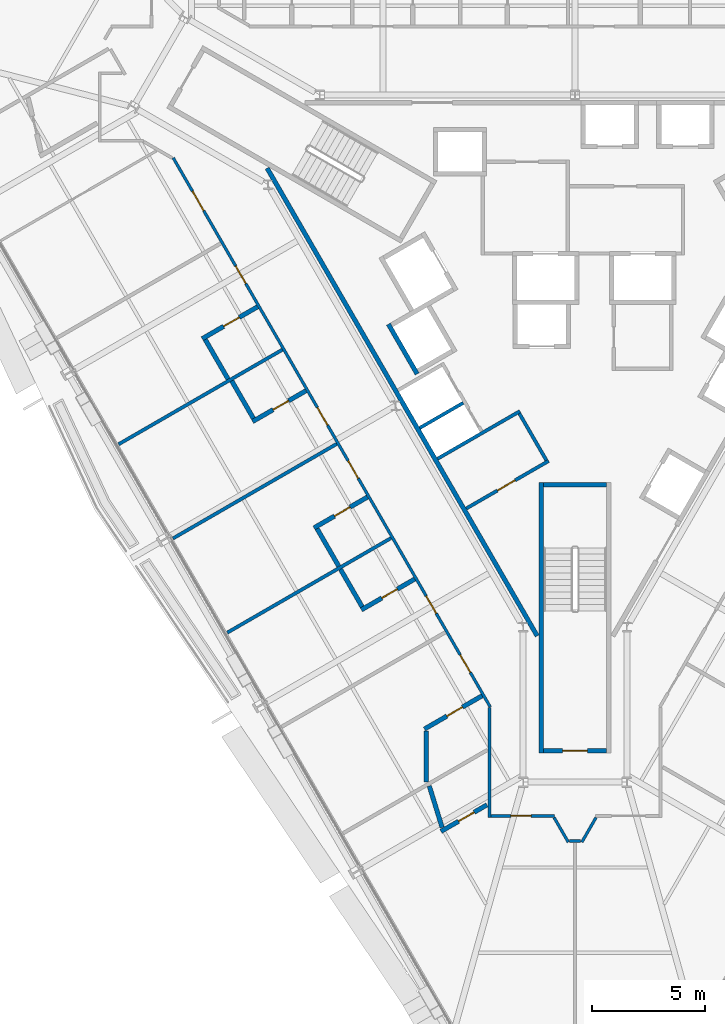
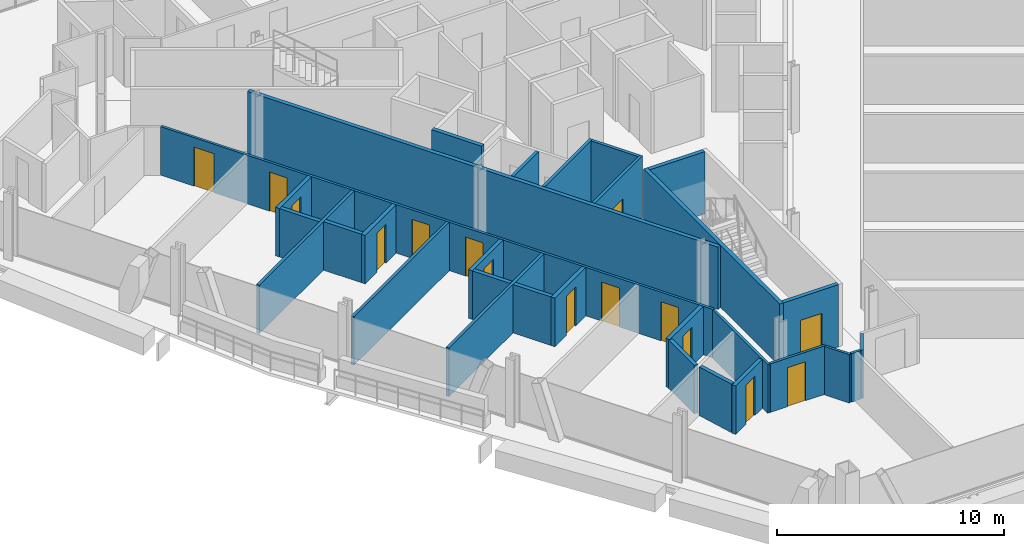
# One storey, part 12 of 18: 30 walls, 15 doors, 15 openings.
"""IFC4 building model written with IfcOpenShell, lengths in metres."""

from ifc_helpers import new_model, si_unit, direction, frame, frame_2d, origin, place, context, subcontext, project, spatial, rectangle, extrude, material, layer, layer_set, type_object, element, fill, save


model = new_model("IFC4")

# Units and contexts
model_context = context("Model", 3, precision=1e-05, world=origin(), true_north=direction((0.0, 1.0)))
body_context = subcontext(model_context, "Body", "Model", "MODEL_VIEW")
ifc_project = project(units=[si_unit("LENGTHUNIT", "METRE"), si_unit("AREAUNIT", "SQUARE_METRE"), si_unit("VOLUMEUNIT", "CUBIC_METRE"), si_unit("PLANEANGLEUNIT", "RADIAN"), si_unit("MASSUNIT", "GRAM", prefix="KILO")], contexts=[model_context])

# Site, building, storey
site_placement = place(None, origin())
site = spatial("IfcSite", under=ifc_project, at=site_placement, CompositionType="ELEMENT")
building_placement = place(site_placement, origin())
building = spatial("IfcBuilding", under=site, at=building_placement, Name="Verrane Prism Tower", CompositionType="ELEMENT")
storey_placement = place(building_placement, frame((0.0, 0.0, 54.800048828125)))
storey = spatial("IfcBuildingStorey", under=building, at=storey_placement, Name="L11", CompositionType="ELEMENT", Elevation=54.800048828125)

# Wall
ifc_material_1 = material(Name="Gypsum board partition", Category="other")
ifc_layer_1 = layer(ifc_material_1, 0.199951171875)
ifc_layer_set_1 = layer_set([ifc_layer_1], Name="CW-200 core boundary wall 2 h")
wall_type_1 = type_object("IfcWallType", Name="CW-200 core boundary wall 2 h", PredefinedType="PARTITIONING", material=ifc_layer_set_1)
wall_1_placement = place(storey_placement, frame((-13.66357421875, 5.946044921875, 0.0), z_axis=(0.0, 0.0, 1.0), x_axis=(0.499994327219, -0.866028678941, 0.0)))
element("IfcWall", 1, at=wall_1_placement, inside=storey, type_object=wall_type_1, Name="Core boundary wall CW3-001", PredefinedType="PARTITIONING", context=body_context, shape_type="SweptSolid", body=[
    extrude(rectangle(XDim=23.967529296875, YDim=0.199951171875, at=frame_2d((11.98388671875, 0.0))), origin(), (0.0, 0.0, 1.0), 3.349853515625),
])

# Wall, opening, door
ifc_material_2 = material(Name="Concrete C40/50", Category="concrete")
ifc_layer_2 = layer(ifc_material_2, 0.199951171875)
ifc_layer_set_2 = layer_set([ifc_layer_2], Name="CW-200 stair core wall concrete C40/50 3 h")
wall_type_2 = type_object("IfcWallType", Name="CW-200 stair core wall concrete C40/50 3 h", PredefinedType="PARTITIONING", material=ifc_layer_set_2)
wall_2_placement = place(storey_placement, frame((-1.39990234375, -19.89990234375, 0.0), z_axis=(0.0, 0.0, 1.0), x_axis=(1.0, 0.0, 0.0)))
wall_2 = element("IfcWall", 2, at=wall_2_placement, inside=storey, type_object=wall_type_2, Name="Stair 3 enclosure wall", PredefinedType="PARTITIONING", context=body_context, shape_type="SweptSolid", body=[
    extrude(rectangle(XDim=2.7998046875, YDim=0.199951171875, at=frame_2d((1.39990234375, 0.0))), origin(), (0.0, 0.0, 1.0), 3.349853515625),
])
opening_1_placement = place(wall_2_placement, frame((0.85009765625, 0.0, 0.0)))
opening_1 = element("IfcOpeningElement", 3, at=opening_1_placement, cuts=wall_2, Name="Opening D09502", PredefinedType="OPENING", context=body_context, shape_type="SweptSolid", body=[
    extrude(rectangle(XDim=1.10009765625, YDim=2.10009765625, at=frame_2d((0.550048828125, 1.050048828125))), frame((0.0, 0.10986328125, 0.0), z_axis=(0.0, -1.0, 0.0), x_axis=(1.0, 0.0, 0.0)), (0.0, 0.0, 1.0), 0.219970703125),
])
ifc_material_3 = material(Name="Timber veneered door leaf", Category="wood")
door_type_1 = type_object("IfcDoorType", Name="DR-1100x2100 FD90 single leaf stair", OperationType="NOTDEFINED", PredefinedType="DOOR", material=ifc_material_3)
door_1_placement = place(opening_1_placement, origin())
door_1 = element("IfcDoor", 4, at=door_1_placement, inside=storey, type_object=door_type_1, Name="Stair 3 door", OperationType="SINGLE_SWING_LEFT", OverallHeight=2.10009765625, OverallWidth=1.10009765625, PredefinedType="DOOR", context=body_context, shape_type="SweptSolid", body=[
    extrude(rectangle(XDim=1.10009765625, YDim=2.10009765625, at=frame_2d((0.550048828125, 1.050048828125))), frame((0.0, 0.02490234375, 0.0), z_axis=(0.0, -1.0, 0.0), x_axis=(1.0, 0.0, 0.0)), (0.0, 0.0, 1.0), 0.050048828125),
])
fill(opening_1, door_1)

# Walls
wall_3_placement = place(storey_placement, frame((-1.5, -8.0, 0.0), z_axis=(0.0, 0.0, 1.0), x_axis=(0.0, -1.0, 0.0)))
element("IfcWall", 5, at=wall_3_placement, inside=storey, type_object=wall_type_2, Name="Stair 3 enclosure wall", PredefinedType="PARTITIONING", context=body_context, shape_type="SweptSolid", body=[
    extrude(rectangle(XDim=12.0, YDim=0.199951171875, at=frame_2d((6.0, 0.0))), origin(), (0.0, 0.0, 1.0), 3.349853515625),
])
wall_4_placement = place(storey_placement, frame((-1.39990234375, -8.10009765625, 0.0), z_axis=(0.0, 0.0, 1.0), x_axis=(1.0, 0.0, 0.0)))
element("IfcWall", 6, at=wall_4_placement, inside=storey, type_object=wall_type_2, Name="Stair 3 enclosure wall", PredefinedType="PARTITIONING", context=body_context, shape_type="SweptSolid", body=[
    extrude(rectangle(XDim=2.7998046875, YDim=0.199951171875, at=frame_2d((1.39990234375, 0.0))), origin(), (0.0, 0.0, 1.0), 3.349853515625),
])
ifc_material_4 = material(Name="Gypsum board shaft wall assembly", Category="other")
ifc_layer_3 = layer(ifc_material_4, 0.199951171875)
ifc_layer_set_3 = layer_set([ifc_layer_3], Name="HW-200 lift shaft wall 2 h")
wall_type_3 = type_object("IfcWallType", Name="HW-200 lift shaft wall 2 h", PredefinedType="PARTITIONING", material=ifc_layer_set_3)
wall_5_placement = place(storey_placement, frame((-7.00634765625, -3.184814453125, 0.0), z_axis=(0.0, 0.0, 1.0), x_axis=(-0.499990435942, 0.866030925526, 0.0)))
element("IfcWall", 7, at=wall_5_placement, inside=storey, type_object=wall_type_3, Name="Lift shaft wall", PredefinedType="PARTITIONING", context=body_context, shape_type="SweptSolid", body=[
    extrude(rectangle(XDim=2.5498046875, YDim=0.199951171875, at=frame_2d((1.27490234375, 0.0))), origin(), (0.0, 0.0, 1.0), 3.599853515625),
])

# Wall, openings, doors
ifc_material_5 = material(Name="Gypsum board partition", Category="other")
ifc_layer_4 = layer(ifc_material_5, 0.125)
ifc_layer_set_4 = layer_set([ifc_layer_4], Name="PW-125 corridor wall 1 h")
wall_type_4 = type_object("IfcWallType", Name="PW-125 corridor wall 1 h", PredefinedType="PARTITIONING", material=ifc_layer_set_4)
wall_6_placement = place(storey_placement, frame((-3.765869140625, -17.959228515625, 0.0), z_axis=(0.0, 0.0, 1.0), x_axis=(-0.500002884005, 0.866023738697, 0.0)))
wall_6 = element("IfcWall", 8, at=wall_6_placement, inside=storey, type_object=wall_type_4, Name="Corridor wall 016", PredefinedType="PARTITIONING", context=body_context, shape_type="SweptSolid", body=[
    extrude(rectangle(XDim=28.134521484375, YDim=0.125, at=frame_2d((14.0673828125, 0.0))), origin(), (0.0, 0.0, 1.0), 2.613037109375),
])
opening_2_placement = place(wall_6_placement, frame((25.422119140625, 0.0, 0.0)))
opening_2 = element("IfcOpeningElement", 9, at=opening_2_placement, cuts=wall_6, Name="Opening D09026", PredefinedType="OPENING", context=body_context, shape_type="SweptSolid", body=[
    extrude(rectangle(XDim=1.0, YDim=2.10009765625, at=frame_2d((0.5, 1.050048828125))), frame((0.0, 0.072509765625, 0.0), z_axis=(0.0, -1.0, 0.0), x_axis=(1.0, 0.0, 0.0)), (0.0, 0.0, 1.0), 0.14501953125),
])
opening_3_placement = place(wall_6_placement, frame((21.693115234375, 0.0, 0.0)))
opening_3 = element("IfcOpeningElement", 10, at=opening_3_placement, cuts=wall_6, Name="Opening D09029", PredefinedType="OPENING", context=body_context, shape_type="SweptSolid", body=[
    extrude(rectangle(XDim=0.89990234375, YDim=2.10009765625, at=frame_2d((0.449951171875, 1.050048828125))), frame((0.0, 0.072509765625, 0.0), z_axis=(0.0, -1.0, 0.0), x_axis=(1.0, 0.0, 0.0)), (0.0, 0.0, 1.0), 0.14501953125),
])
opening_4_placement = place(wall_6_placement, frame((14.438232421875, 0.0, 0.0)))
opening_4 = element("IfcOpeningElement", 11, at=opening_4_placement, cuts=wall_6, Name="Opening D09031", PredefinedType="OPENING", context=body_context, shape_type="SweptSolid", body=[
    extrude(rectangle(XDim=0.89990234375, YDim=2.10009765625, at=frame_2d((0.449951171875, 1.050048828125))), frame((0.0, 0.072509765625, 0.0), z_axis=(0.0, -1.0, 0.0), x_axis=(1.0, 0.0, 0.0)), (0.0, 0.0, 1.0), 0.14501953125),
])
opening_5_placement = place(wall_6_placement, frame((11.712158203125, 0.0, 0.0)))
opening_5 = element("IfcOpeningElement", 12, at=opening_5_placement, cuts=wall_6, Name="Opening D09033", PredefinedType="OPENING", context=body_context, shape_type="SweptSolid", body=[
    extrude(rectangle(XDim=0.89990234375, YDim=2.10009765625, at=frame_2d((0.449951171875, 1.050048828125))), frame((0.0, 0.072509765625, 0.0), z_axis=(0.0, -1.0, 0.0), x_axis=(1.0, 0.0, 0.0)), (0.0, 0.0, 1.0), 0.14501953125),
])
opening_6_placement = place(wall_6_placement, frame((4.787109375, 0.0, 0.0)))
opening_6 = element("IfcOpeningElement", 13, at=opening_6_placement, cuts=wall_6, Name="Opening D09035", PredefinedType="OPENING", context=body_context, shape_type="SweptSolid", body=[
    extrude(rectangle(XDim=0.89990234375, YDim=2.10009765625, at=frame_2d((0.449951171875, 1.050048828125))), frame((0.0, 0.072509765625, 0.0), z_axis=(0.0, -1.0, 0.0), x_axis=(1.0, 0.0, 0.0)), (0.0, 0.0, 1.0), 0.14501953125),
])
opening_7_placement = place(wall_6_placement, frame((1.76220703125, 0.0, 0.0)))
opening_7 = element("IfcOpeningElement", 14, at=opening_7_placement, cuts=wall_6, Name="Opening D09037", PredefinedType="OPENING", context=body_context, shape_type="SweptSolid", body=[
    extrude(rectangle(XDim=0.89990234375, YDim=2.10009765625, at=frame_2d((0.449951171875, 1.050048828125))), frame((0.0, 0.072509765625, 0.0), z_axis=(0.0, -1.0, 0.0), x_axis=(1.0, 0.0, 0.0)), (0.0, 0.0, 1.0), 0.14501953125),
])
ifc_material_6 = material(Name="Timber veneered door leaf", Category="wood")
door_type_2 = type_object("IfcDoorType", Name="DR-1000x2100 FD20 single leaf unit", OperationType="NOTDEFINED", PredefinedType="DOOR", material=ifc_material_6)
door_2_placement = place(opening_2_placement, origin())
door_2 = element("IfcDoor", 15, at=door_2_placement, inside=storey, type_object=door_type_2, Name="Suite Living Room door", OperationType="SINGLE_SWING_LEFT", OverallHeight=2.10009765625, OverallWidth=1.0, PredefinedType="DOOR", context=body_context, shape_type="SweptSolid", body=[
    extrude(rectangle(XDim=1.0, YDim=2.10009765625, at=frame_2d((0.5, 1.050048828125))), frame((0.0, 0.02490234375, 0.0), z_axis=(0.0, -1.0, 0.0), x_axis=(1.0, 0.0, 0.0)), (0.0, 0.0, 1.0), 0.050048828125),
])
fill(opening_2, door_2)
ifc_material_7 = material(Name="Timber veneered door leaf", Category="wood")
door_type_3 = type_object("IfcDoorType", Name="DR-900x2100 FD20 single leaf unit", OperationType="NOTDEFINED", PredefinedType="DOOR", material=ifc_material_7)
door_3_placement = place(opening_3_placement, origin())
door_3 = element("IfcDoor", 16, at=door_3_placement, inside=storey, type_object=door_type_3, Name="Guest Room door", OperationType="SINGLE_SWING_RIGHT", OverallHeight=2.10009765625, OverallWidth=0.89990234375, PredefinedType="DOOR", context=body_context, shape_type="SweptSolid", body=[
    extrude(rectangle(XDim=0.89990234375, YDim=2.10009765625, at=frame_2d((0.449951171875, 1.050048828125))), frame((0.0, 0.02490234375, 0.0), z_axis=(0.0, -1.0, 0.0), x_axis=(1.0, 0.0, 0.0)), (0.0, 0.0, 1.0), 0.050048828125),
])
fill(opening_3, door_3)
door_4_placement = place(opening_4_placement, origin())
door_4 = element("IfcDoor", 17, at=door_4_placement, inside=storey, type_object=door_type_3, Name="Guest Room door", OperationType="SINGLE_SWING_RIGHT", OverallHeight=2.10009765625, OverallWidth=0.89990234375, PredefinedType="DOOR", context=body_context, shape_type="SweptSolid", body=[
    extrude(rectangle(XDim=0.89990234375, YDim=2.10009765625, at=frame_2d((0.449951171875, 1.050048828125))), frame((0.0, 0.02490234375, 0.0), z_axis=(0.0, -1.0, 0.0), x_axis=(1.0, 0.0, 0.0)), (0.0, 0.0, 1.0), 0.050048828125),
])
fill(opening_4, door_4)
door_5_placement = place(opening_5_placement, origin())
door_5 = element("IfcDoor", 18, at=door_5_placement, inside=storey, type_object=door_type_3, Name="Guest Room door", OperationType="SINGLE_SWING_RIGHT", OverallHeight=2.10009765625, OverallWidth=0.89990234375, PredefinedType="DOOR", context=body_context, shape_type="SweptSolid", body=[
    extrude(rectangle(XDim=0.89990234375, YDim=2.10009765625, at=frame_2d((0.449951171875, 1.050048828125))), frame((0.0, 0.02490234375, 0.0), z_axis=(0.0, -1.0, 0.0), x_axis=(1.0, 0.0, 0.0)), (0.0, 0.0, 1.0), 0.050048828125),
])
fill(opening_5, door_5)
door_6_placement = place(opening_6_placement, origin())
door_6 = element("IfcDoor", 19, at=door_6_placement, inside=storey, type_object=door_type_3, Name="Guest Room door", OperationType="SINGLE_SWING_RIGHT", OverallHeight=2.10009765625, OverallWidth=0.89990234375, PredefinedType="DOOR", context=body_context, shape_type="SweptSolid", body=[
    extrude(rectangle(XDim=0.89990234375, YDim=2.10009765625, at=frame_2d((0.449951171875, 1.050048828125))), frame((0.0, 0.02490234375, 0.0), z_axis=(0.0, -1.0, 0.0), x_axis=(1.0, 0.0, 0.0)), (0.0, 0.0, 1.0), 0.050048828125),
])
fill(opening_6, door_6)
door_7_placement = place(opening_7_placement, origin())
door_7 = element("IfcDoor", 20, at=door_7_placement, inside=storey, type_object=door_type_3, Name="Guest Room door", OperationType="SINGLE_SWING_RIGHT", OverallHeight=2.10009765625, OverallWidth=0.89990234375, PredefinedType="DOOR", context=body_context, shape_type="SweptSolid", body=[
    extrude(rectangle(XDim=0.89990234375, YDim=2.10009765625, at=frame_2d((0.449951171875, 1.050048828125))), frame((0.0, 0.02490234375, 0.0), z_axis=(0.0, -1.0, 0.0), x_axis=(1.0, 0.0, 0.0)), (0.0, 0.0, 1.0), 0.050048828125),
])
fill(opening_7, door_7)

# Wall
wall_7_placement = place(storey_placement, frame((-3.797119140625, -22.859619140625, 0.0), z_axis=(0.0, 0.0, 1.0), x_axis=(0.0, 1.0, 0.0)))
element("IfcWall", 21, at=wall_7_placement, inside=storey, type_object=wall_type_4, Name="Corridor wall 046", PredefinedType="PARTITIONING", context=body_context, shape_type="SweptSolid", body=[
    extrude(rectangle(XDim=4.86962890625, YDim=0.125, at=frame_2d((2.434814453125, 0.0))), origin(), (0.0, 0.0, 1.0), 2.613037109375),
])

# Wall, opening, door
wall_8_placement = place(storey_placement, frame((-0.910400390625, -22.797119140625, 0.0), z_axis=(0.0, 0.0, 1.0), x_axis=(-1.0, 0.0, 0.0)))
wall_8 = element("IfcWall", 22, at=wall_8_placement, inside=storey, type_object=wall_type_4, Name="Corridor wall 047", PredefinedType="PARTITIONING", context=body_context, shape_type="SweptSolid", body=[
    extrude(rectangle(XDim=2.821533203125, YDim=0.125, at=frame_2d((1.41064453125, 0.0))), origin(), (0.0, 0.0, 1.0), 2.613037109375),
])
opening_8_placement = place(wall_8_placement, frame((1.03662109375, 0.0, 0.0)))
opening_8 = element("IfcOpeningElement", 23, at=opening_8_placement, cuts=wall_8, Name="Opening D09039", PredefinedType="OPENING", context=body_context, shape_type="SweptSolid", body=[
    extrude(rectangle(XDim=0.89990234375, YDim=2.10009765625, at=frame_2d((0.449951171875, 1.050048828125))), frame((0.0, 0.072509765625, 0.0), z_axis=(0.0, -1.0, 0.0), x_axis=(1.0, 0.0, 0.0)), (0.0, 0.0, 1.0), 0.14501953125),
])
door_8_placement = place(opening_8_placement, origin())
door_8 = element("IfcDoor", 24, at=door_8_placement, inside=storey, type_object=door_type_3, Name="Corner Suite door", OperationType="SINGLE_SWING_RIGHT", OverallHeight=2.10009765625, OverallWidth=0.89990234375, PredefinedType="DOOR", context=body_context, shape_type="SweptSolid", body=[
    extrude(rectangle(XDim=0.89990234375, YDim=2.10009765625, at=frame_2d((0.449951171875, 1.050048828125))), frame((0.0, 0.02490234375, 0.0), z_axis=(0.0, -1.0, 0.0), x_axis=(1.0, 0.0, 0.0)), (0.0, 0.0, 1.0), 0.050048828125),
])
fill(opening_8, door_8)

# Walls
wall_9_placement = place(storey_placement, frame((-0.930419921875, -22.87060546875, 0.0), z_axis=(0.0, 0.0, 1.0), x_axis=(0.500242104966, -0.865885579288, 0.0)))
element("IfcWall", 25, at=wall_9_placement, inside=storey, type_object=wall_type_4, Name="Corridor wall 049", PredefinedType="PARTITIONING", context=body_context, shape_type="SweptSolid", body=[
    extrude(rectangle(XDim=1.260498046875, YDim=0.125, at=frame_2d((0.63037109375, 0.0))), origin(), (0.0, 0.0, 1.0), 2.613037109375),
])
wall_10_placement = place(storey_placement, frame((-0.24609375, -23.907958984375, 0.0), z_axis=(0.0, 0.0, 1.0), x_axis=(1.0, 0.0, 0.0)))
element("IfcWall", 26, at=wall_10_placement, inside=storey, type_object=wall_type_4, Name="Corridor wall 050", PredefinedType="PARTITIONING", context=body_context, shape_type="SweptSolid", body=[
    extrude(rectangle(XDim=0.4921875, YDim=0.125, at=frame_2d((0.24609375, 0.0))), origin(), (0.0, 0.0, 1.0), 2.613037109375),
])
wall_11_placement = place(storey_placement, frame((0.2998046875, -23.962158203125, 0.0), z_axis=(0.0, 0.0, 1.0), x_axis=(0.500242104966, 0.865885579288, 0.0)))
element("IfcWall", 27, at=wall_11_placement, inside=storey, type_object=wall_type_4, Name="Corridor wall 053", PredefinedType="PARTITIONING", context=body_context, shape_type="SweptSolid", body=[
    extrude(rectangle(XDim=1.260498046875, YDim=0.125, at=frame_2d((0.63037109375, 0.0))), origin(), (0.0, 0.0, 1.0), 2.613037109375),
])
ifc_material_8 = material(Name="Gypsum board partition", Category="other")
ifc_layer_5 = layer(ifc_material_8, 0.14990234375)
ifc_layer_set_5 = layer_set([ifc_layer_5], Name="PW-150 demising wall 1 h")
wall_type_5 = type_object("IfcWallType", Name="PW-150 demising wall 1 h", PredefinedType="PARTITIONING", material=ifc_layer_set_5)
for number, where, z_axis, x_axis, name in (
    (28, (-20.25634765625, -6.3046875, 0.0), (0.0, 0.0, 1.0), (0.866037818403, 0.499978496633, 0.0), "Demising wall 012"),
    (29, (-17.843505859375, -10.48388671875, 0.0), (0.0, 0.0, 1.0), (0.866037818403, 0.499978496633, 0.0), "Demising wall 017"),
):
    element("IfcWall", number, at=place(storey_placement, frame(where, z_axis=z_axis, x_axis=x_axis)), inside=storey, type_object=wall_type_5, Name=name, PredefinedType="PARTITIONING", context=body_context, shape_type="SweptSolid", body=[
        extrude(rectangle(XDim=8.391357421875, YDim=0.14990234375, at=frame_2d((4.19580078125, 0.0))), origin(), (0.0, 0.0, 1.0), 2.613037109375),
    ])
wall_12_placement = place(storey_placement, frame((-15.4306640625, -14.6630859375, 0.0), z_axis=(0.0, 0.0, 1.0), x_axis=(0.866027553047, 0.499996277349, 0.0)))
element("IfcWall", 30, at=wall_12_placement, inside=storey, type_object=wall_type_5, Name="Demising wall 024", PredefinedType="PARTITIONING", context=body_context, shape_type="SweptSolid", body=[
    extrude(rectangle(XDim=8.38671875, YDim=0.14990234375, at=frame_2d((4.193359375, 0.0))), origin(), (0.0, 0.0, 1.0), 2.613037109375),
])
ifc_material_9 = material(Name="Gypsum board partition", Category="other")
ifc_layer_6 = layer(ifc_material_9, 0.199951171875)
ifc_layer_set_6 = layer_set([ifc_layer_6], Name="PW-200 plumbing wall")
wall_type_6 = type_object("IfcWallType", Name="PW-200 plumbing wall", PredefinedType="PARTITIONING", material=ifc_layer_set_6)
wall_13_placement = place(storey_placement, frame((-16.409912109375, -1.65869140625, 0.0), z_axis=(0.0, 0.0, 1.0), x_axis=(0.49983374806, -0.866121368112, 0.0)))
element("IfcWall", 31, at=wall_13_placement, inside=storey, type_object=wall_type_6, Name="Plumbing wall 020", PredefinedType="PARTITIONING", context=body_context, shape_type="SweptSolid", body=[
    extrude(rectangle(XDim=2.025634765625, YDim=0.199951171875, at=frame_2d((1.0126953125, 0.0))), origin(), (0.0, 0.0, 1.0), 2.613037109375),
])

# Wall, opening, door
wall_14_placement = place(storey_placement, frame((-14.093505859375, -0.205810546875, 0.0), z_axis=(0.0, 0.0, 1.0), x_axis=(-0.866033446572, -0.499986069224, 0.0)))
wall_14 = element("IfcWall", 32, at=wall_14_placement, inside=storey, type_object=wall_type_6, Name="Plumbing wall 021", PredefinedType="PARTITIONING", context=body_context, shape_type="SweptSolid", body=[
    extrude(rectangle(XDim=2.83251953125, YDim=0.199951171875, at=frame_2d((1.416259765625, 0.0))), origin(), (0.0, 0.0, 1.0), 2.613037109375),
])
opening_9_placement = place(wall_14_placement, frame((0.9326171875, 0.0, 0.0)))
opening_9 = element("IfcOpeningElement", 33, at=opening_9_placement, cuts=wall_14, Name="Opening D09030", PredefinedType="OPENING", context=body_context, shape_type="SweptSolid", body=[
    extrude(rectangle(XDim=0.800048828125, YDim=2.10009765625, at=frame_2d((0.39990234375, 1.050048828125))), frame((0.0, 0.10986328125, 0.0), z_axis=(0.0, -1.0, 0.0), x_axis=(1.0, 0.0, 0.0)), (0.0, 0.0, 1.0), 0.219970703125),
])
ifc_material_10 = material(Name="Timber veneered door leaf", Category="wood")
door_type_4 = type_object("IfcDoorType", Name="DR-800x2100 single leaf bath", OperationType="NOTDEFINED", PredefinedType="DOOR", material=ifc_material_10)
door_9_placement = place(opening_9_placement, origin())
door_9 = element("IfcDoor", 34, at=door_9_placement, inside=storey, type_object=door_type_4, Name="En-Suite door", OperationType="SINGLE_SWING_LEFT", OverallHeight=2.10009765625, OverallWidth=0.800048828125, PredefinedType="DOOR", context=body_context, shape_type="SweptSolid", body=[
    extrude(rectangle(XDim=0.800048828125, YDim=2.10009765625, at=frame_2d((0.39990234375, 1.050048828125))), frame((0.0, 0.02490234375, 0.0), z_axis=(0.0, -1.0, 0.0), x_axis=(1.0, 0.0, 0.0)), (0.0, 0.0, 1.0), 0.050048828125),
])
fill(opening_9, door_9)

# Wall
wall_15_placement = place(storey_placement, frame((-15.235595703125, -3.492919921875, 0.0), z_axis=(0.0, 0.0, 1.0), x_axis=(0.500190942922, -0.865915134767, 0.0)))
element("IfcWall", 35, at=wall_15_placement, inside=storey, type_object=wall_type_6, Name="Plumbing wall 025", PredefinedType="PARTITIONING", context=body_context, shape_type="SweptSolid", body=[
    extrude(rectangle(XDim=1.924560546875, YDim=0.199951171875, at=frame_2d((0.96240234375, 0.0))), origin(), (0.0, 0.0, 1.0), 2.613037109375),
])

# Wall, opening, door
wall_16_placement = place(storey_placement, frame((-14.3095703125, -5.2958984375, 0.0), z_axis=(0.0, 0.0, 1.0), x_axis=(0.866012976267, 0.500021524473, 0.0)))
wall_16 = element("IfcWall", 36, at=wall_16_placement, inside=storey, type_object=wall_type_6, Name="Plumbing wall 029", PredefinedType="PARTITIONING", context=body_context, shape_type="SweptSolid", body=[
    extrude(rectangle(XDim=2.732421875, YDim=0.199951171875, at=frame_2d((1.3662109375, 0.0))), origin(), (0.0, 0.0, 1.0), 2.613037109375),
])
opening_10_placement = place(wall_16_placement, frame((1.050048828125, 0.0, 0.0)))
opening_10 = element("IfcOpeningElement", 37, at=opening_10_placement, cuts=wall_16, Name="Opening D09032", PredefinedType="OPENING", context=body_context, shape_type="SweptSolid", body=[
    extrude(rectangle(XDim=0.800048828125, YDim=2.10009765625, at=frame_2d((0.39990234375, 1.050048828125))), frame((0.0, 0.10986328125, 0.0), z_axis=(0.0, -1.0, 0.0), x_axis=(1.0, 0.0, 0.0)), (0.0, 0.0, 1.0), 0.219970703125),
])
door_10_placement = place(opening_10_placement, origin())
door_10 = element("IfcDoor", 38, at=door_10_placement, inside=storey, type_object=door_type_4, Name="En-Suite door", OperationType="SINGLE_SWING_RIGHT", OverallHeight=2.10009765625, OverallWidth=0.800048828125, PredefinedType="DOOR", context=body_context, shape_type="SweptSolid", body=[
    extrude(rectangle(XDim=0.800048828125, YDim=2.10009765625, at=frame_2d((0.39990234375, 1.050048828125))), frame((0.0, 0.02490234375, 0.0), z_axis=(0.0, -1.0, 0.0), x_axis=(1.0, 0.0, 0.0)), (0.0, 0.0, 1.0), 0.050048828125),
])
fill(opening_10, door_10)

# Wall
wall_17_placement = place(storey_placement, frame((-11.447998046875, -10.053466796875, 0.0), z_axis=(0.0, 0.0, 1.0), x_axis=(0.500214044309, -0.865901789971, 0.0)))
element("IfcWall", 39, at=wall_17_placement, inside=storey, type_object=wall_type_6, Name="Plumbing wall 032", PredefinedType="PARTITIONING", context=body_context, shape_type="SweptSolid", body=[
    extrude(rectangle(XDim=1.920166015625, YDim=0.199951171875, at=frame_2d((0.9599609375, 0.0))), origin(), (0.0, 0.0, 1.0), 2.613037109375),
])

# Wall, opening, door
wall_18_placement = place(storey_placement, frame((-9.217529296875, -8.650634765625, 0.0), z_axis=(0.0, 0.0, 1.0), x_axis=(-0.866063622699, -0.499933797055, 0.0)))
wall_18 = element("IfcWall", 40, at=wall_18_placement, inside=storey, type_object=wall_type_6, Name="Plumbing wall 033", PredefinedType="PARTITIONING", context=body_context, shape_type="SweptSolid", body=[
    extrude(rectangle(XDim=2.733154296875, YDim=0.199951171875, at=frame_2d((1.36669921875, 0.0))), origin(), (0.0, 0.0, 1.0), 2.613037109375),
])
opening_11_placement = place(wall_18_placement, frame((0.883056640625, 0.0, 0.0)))
opening_11 = element("IfcOpeningElement", 41, at=opening_11_placement, cuts=wall_18, Name="Opening D09034", PredefinedType="OPENING", context=body_context, shape_type="SweptSolid", body=[
    extrude(rectangle(XDim=0.800048828125, YDim=2.10009765625, at=frame_2d((0.39990234375, 1.050048828125))), frame((0.0, 0.10986328125, 0.0), z_axis=(0.0, -1.0, 0.0), x_axis=(1.0, 0.0, 0.0)), (0.0, 0.0, 1.0), 0.219970703125),
])
door_11_placement = place(opening_11_placement, origin())
door_11 = element("IfcDoor", 42, at=door_11_placement, inside=storey, type_object=door_type_4, Name="En-Suite door", OperationType="SINGLE_SWING_LEFT", OverallHeight=2.10009765625, OverallWidth=0.800048828125, PredefinedType="DOOR", context=body_context, shape_type="SweptSolid", body=[
    extrude(rectangle(XDim=0.800048828125, YDim=2.10009765625, at=frame_2d((0.39990234375, 1.050048828125))), frame((0.0, 0.02490234375, 0.0), z_axis=(0.0, -1.0, 0.0), x_axis=(1.0, 0.0, 0.0)), (0.0, 0.0, 1.0), 0.050048828125),
])
fill(opening_11, door_11)

# Wall
wall_19_placement = place(storey_placement, frame((-10.407470703125, -11.85498046875, 0.0), z_axis=(0.0, 0.0, 1.0), x_axis=(0.499887618105, -0.86609027778, 0.0)))
element("IfcWall", 43, at=wall_19_placement, inside=storey, type_object=wall_type_6, Name="Plumbing wall 034", PredefinedType="PARTITIONING", context=body_context, shape_type="SweptSolid", body=[
    extrude(rectangle(XDim=1.91943359375, YDim=0.199951171875, at=frame_2d((0.959716796875, 0.0))), origin(), (0.0, 0.0, 1.0), 2.613037109375),
])

# Wall, opening, door
wall_20_placement = place(storey_placement, frame((-9.484619140625, -13.654052734375, 0.0), z_axis=(0.0, 0.0, 1.0), x_axis=(0.866102295869, 0.499866795347, 0.0)))
wall_20 = element("IfcWall", 44, at=wall_20_placement, inside=storey, type_object=wall_type_6, Name="Plumbing wall 037", PredefinedType="PARTITIONING", context=body_context, shape_type="SweptSolid", body=[
    extrude(rectangle(XDim=2.733154296875, YDim=0.199951171875, at=frame_2d((1.36669921875, 0.0))), origin(), (0.0, 0.0, 1.0), 2.613037109375),
])
opening_12_placement = place(wall_20_placement, frame((1.050048828125, 0.0, 0.0)))
opening_12 = element("IfcOpeningElement", 45, at=opening_12_placement, cuts=wall_20, Name="Opening D09036", PredefinedType="OPENING", context=body_context, shape_type="SweptSolid", body=[
    extrude(rectangle(XDim=0.800048828125, YDim=2.10009765625, at=frame_2d((0.39990234375, 1.050048828125))), frame((0.0, 0.10986328125, 0.0), z_axis=(0.0, -1.0, 0.0), x_axis=(1.0, 0.0, 0.0)), (0.0, 0.0, 1.0), 0.219970703125),
])
door_12_placement = place(opening_12_placement, origin())
door_12 = element("IfcDoor", 46, at=door_12_placement, inside=storey, type_object=door_type_4, Name="En-Suite door", OperationType="SINGLE_SWING_RIGHT", OverallHeight=2.10009765625, OverallWidth=0.800048828125, PredefinedType="DOOR", context=body_context, shape_type="SweptSolid", body=[
    extrude(rectangle(XDim=0.800048828125, YDim=2.10009765625, at=frame_2d((0.39990234375, 1.050048828125))), frame((0.0, 0.02490234375, 0.0), z_axis=(0.0, -1.0, 0.0), x_axis=(1.0, 0.0, 0.0)), (0.0, 0.0, 1.0), 0.050048828125),
])
fill(opening_12, door_12)

# Wall
wall_21_placement = place(storey_placement, frame((-6.596923828125, -21.28955078125, 0.0), z_axis=(0.0, 0.0, 1.0), x_axis=(0.0, 1.0, 0.0)))
element("IfcWall", 47, at=wall_21_placement, inside=storey, type_object=wall_type_6, Name="Plumbing wall 040", PredefinedType="PARTITIONING", context=body_context, shape_type="SweptSolid", body=[
    extrude(rectangle(XDim=2.261474609375, YDim=0.199951171875, at=frame_2d((1.130859375, 0.0))), origin(), (0.0, 0.0, 1.0), 2.613037109375),
])

# Wall, opening, door
wall_22_placement = place(storey_placement, frame((-4.123046875, -17.46533203125, 0.0), z_axis=(0.0, 0.0, 1.0), x_axis=(-0.866141586746, -0.499798711192, 0.0)))
wall_22 = element("IfcWall", 48, at=wall_22_placement, inside=storey, type_object=wall_type_6, Name="Plumbing wall 041", PredefinedType="PARTITIONING", context=body_context, shape_type="SweptSolid", body=[
    extrude(rectangle(XDim=2.956298828125, YDim=0.199951171875, at=frame_2d((1.47802734375, 0.0))), origin(), (0.0, 0.0, 1.0), 2.613037109375),
])
opening_13_placement = place(wall_22_placement, frame((1.00634765625, 0.0, 0.0)))
opening_13 = element("IfcOpeningElement", 49, at=opening_13_placement, cuts=wall_22, Name="Opening D09038", PredefinedType="OPENING", context=body_context, shape_type="SweptSolid", body=[
    extrude(rectangle(XDim=0.800048828125, YDim=2.10009765625, at=frame_2d((0.39990234375, 1.050048828125))), frame((0.0, 0.10986328125, 0.0), z_axis=(0.0, -1.0, 0.0), x_axis=(1.0, 0.0, 0.0)), (0.0, 0.0, 1.0), 0.219970703125),
])
door_13_placement = place(opening_13_placement, origin())
door_13 = element("IfcDoor", 50, at=door_13_placement, inside=storey, type_object=door_type_4, Name="En-Suite door", OperationType="SINGLE_SWING_LEFT", OverallHeight=2.10009765625, OverallWidth=0.800048828125, PredefinedType="DOOR", context=body_context, shape_type="SweptSolid", body=[
    extrude(rectangle(XDim=0.800048828125, YDim=2.10009765625, at=frame_2d((0.39990234375, 1.050048828125))), frame((0.0, 0.02490234375, 0.0), z_axis=(0.0, -1.0, 0.0), x_axis=(1.0, 0.0, 0.0)), (0.0, 0.0, 1.0), 0.050048828125),
])
fill(opening_13, door_13)

# Wall
wall_23_placement = place(storey_placement, frame((-6.467529296875, -21.47119140625, 0.0), z_axis=(0.0, 0.0, 1.0), x_axis=(0.295232763086, -0.955425358466, 0.0)))
element("IfcWall", 51, at=wall_23_placement, inside=storey, type_object=wall_type_6, Name="Plumbing wall 042", PredefinedType="PARTITIONING", context=body_context, shape_type="SweptSolid", body=[
    extrude(rectangle(XDim=1.92919921875, YDim=0.199951171875, at=frame_2d((0.964599609375, 0.0))), origin(), (0.0, 0.0, 1.0), 2.613037109375),
])

# Wall, opening, door
wall_24_placement = place(storey_placement, frame((-5.947509765625, -23.484130859375, 0.0), z_axis=(0.0, 0.0, 1.0), x_axis=(0.865922980112, 0.500177361057, 0.0)))
wall_24 = element("IfcWall", 52, at=wall_24_placement, inside=storey, type_object=wall_type_6, Name="Plumbing wall 043", PredefinedType="PARTITIONING", context=body_context, shape_type="SweptSolid", body=[
    extrude(rectangle(XDim=2.353759765625, YDim=0.199951171875, at=frame_2d((1.1767578125, 0.0))), origin(), (0.0, 0.0, 1.0), 2.613037109375),
])
opening_14_placement = place(wall_24_placement, frame((0.89990234375, 0.0, 0.0)))
opening_14 = element("IfcOpeningElement", 53, at=opening_14_placement, cuts=wall_24, Name="Opening D09040", PredefinedType="OPENING", context=body_context, shape_type="SweptSolid", body=[
    extrude(rectangle(XDim=0.800048828125, YDim=2.10009765625, at=frame_2d((0.39990234375, 1.050048828125))), frame((0.0, 0.10986328125, 0.0), z_axis=(0.0, -1.0, 0.0), x_axis=(1.0, 0.0, 0.0)), (0.0, 0.0, 1.0), 0.219970703125),
])
door_14_placement = place(opening_14_placement, origin())
door_14 = element("IfcDoor", 54, at=door_14_placement, inside=storey, type_object=door_type_4, Name="En-Suite door", OperationType="SINGLE_SWING_RIGHT", OverallHeight=2.10009765625, OverallWidth=0.800048828125, PredefinedType="DOOR", context=body_context, shape_type="SweptSolid", body=[
    extrude(rectangle(XDim=0.800048828125, YDim=2.10009765625, at=frame_2d((0.39990234375, 1.050048828125))), frame((0.0, 0.02490234375, 0.0), z_axis=(0.0, -1.0, 0.0), x_axis=(1.0, 0.0, 0.0)), (0.0, 0.0, 1.0), 0.050048828125),
])
fill(opening_14, door_14)

# Walls
ifc_material_11 = material(Name="Gypsum board partition", Category="other")
ifc_layer_7 = layer(ifc_material_11, 0.14990234375)
ifc_layer_set_7 = layer_set([ifc_layer_7], Name="RS-150 riser enclosure wall 1 h")
wall_type_7 = type_object("IfcWallType", Name="RS-150 riser enclosure wall 1 h", PredefinedType="PARTITIONING", material=ifc_layer_set_7)
wall_25_placement = place(storey_placement, frame((-6.892333984375, -5.58203125, 0.0), z_axis=(0.0, 0.0, 1.0), x_axis=(0.865944298464, 0.500140452231, 0.0)))
element("IfcWall", 55, at=wall_25_placement, inside=storey, type_object=wall_type_7, Name="Riser wall RS3-002", PredefinedType="PARTITIONING", context=body_context, shape_type="SweptSolid", body=[
    extrude(rectangle(XDim=2.224365234375, YDim=0.14990234375, at=frame_2d((1.1123046875, 0.0))), origin(), (0.0, 0.0, 1.0), 3.349853515625),
])
wall_26_placement = place(storey_placement, frame((-6.10009765625, -6.945556640625, 0.0), z_axis=(0.0, 0.0, 1.0), x_axis=(0.866038200431, 0.499977834903, 0.0)))
element("IfcWall", 56, at=wall_26_placement, inside=storey, type_object=wall_type_7, Name="Riser wall RS3-003", PredefinedType="PARTITIONING", context=body_context, shape_type="SweptSolid", body=[
    extrude(rectangle(XDim=4.220458984375, YDim=0.14990234375, at=frame_2d((2.1103515625, 0.0))), origin(), (0.0, 0.0, 1.0), 3.349853515625),
])

# Wall, opening, door
wall_27_placement = place(storey_placement, frame((-4.824951171875, -9.153564453125, 0.0), z_axis=(0.0, 0.0, 1.0), x_axis=(0.866023738697, 0.500002884005, 0.0)))
wall_27 = element("IfcWall", 57, at=wall_27_placement, inside=storey, type_object=wall_type_7, Name="Riser wall RS3-005", PredefinedType="PARTITIONING", context=body_context, shape_type="SweptSolid", body=[
    extrude(rectangle(XDim=4.22021484375, YDim=0.14990234375, at=frame_2d((2.110107421875, 0.0))), origin(), (0.0, 0.0, 1.0), 3.349853515625),
])
opening_15_placement = place(wall_27_placement, frame((1.594970703125, 0.0, 0.0)))
opening_15 = element("IfcOpeningElement", 58, at=opening_15_placement, cuts=wall_27, Name="Opening D09514", PredefinedType="OPENING", context=body_context, shape_type="SweptSolid", body=[
    extrude(rectangle(XDim=0.89990234375, YDim=2.10009765625, at=frame_2d((0.449951171875, 1.050048828125))), frame((0.0, 0.0849609375, 0.0), z_axis=(0.0, -1.0, 0.0), x_axis=(1.0, 0.0, 0.0)), (0.0, 0.0, 1.0), 0.169921875),
])
ifc_material_12 = material(Name="Timber veneered door leaf", Category="wood")
door_type_5 = type_object("IfcDoorType", Name="DR-900x2100 FD20 single leaf store", OperationType="NOTDEFINED", PredefinedType="DOOR", material=ifc_material_12)
door_15_placement = place(opening_15_placement, origin())
door_15 = element("IfcDoor", 59, at=door_15_placement, inside=storey, type_object=door_type_5, Name="Room door D09514", OperationType="SINGLE_SWING_LEFT", OverallHeight=2.10009765625, OverallWidth=0.89990234375, PredefinedType="DOOR", context=body_context, shape_type="SweptSolid", body=[
    extrude(rectangle(XDim=0.89990234375, YDim=2.10009765625, at=frame_2d((0.449951171875, 1.050048828125))), frame((0.0, 0.02490234375, 0.0), z_axis=(0.0, -1.0, 0.0), x_axis=(1.0, 0.0, 0.0)), (0.0, 0.0, 1.0), 0.050048828125),
])
fill(opening_15, door_15)

# Wall
wall_28_placement = place(storey_placement, frame((-2.472412109375, -4.93798828125, 0.0), z_axis=(0.0, 0.0, 1.0), x_axis=(0.500045362686, -0.865999212041, 0.0)))
element("IfcWall", 60, at=wall_28_placement, inside=storey, type_object=wall_type_7, Name="Riser wall RS3-006", PredefinedType="PARTITIONING", context=body_context, shape_type="SweptSolid", body=[
    extrude(rectangle(XDim=2.399658203125, YDim=0.14990234375, at=frame_2d((1.19970703125, 0.0))), origin(), (0.0, 0.0, 1.0), 3.349853515625),
])

save(model, "model.ifc")
